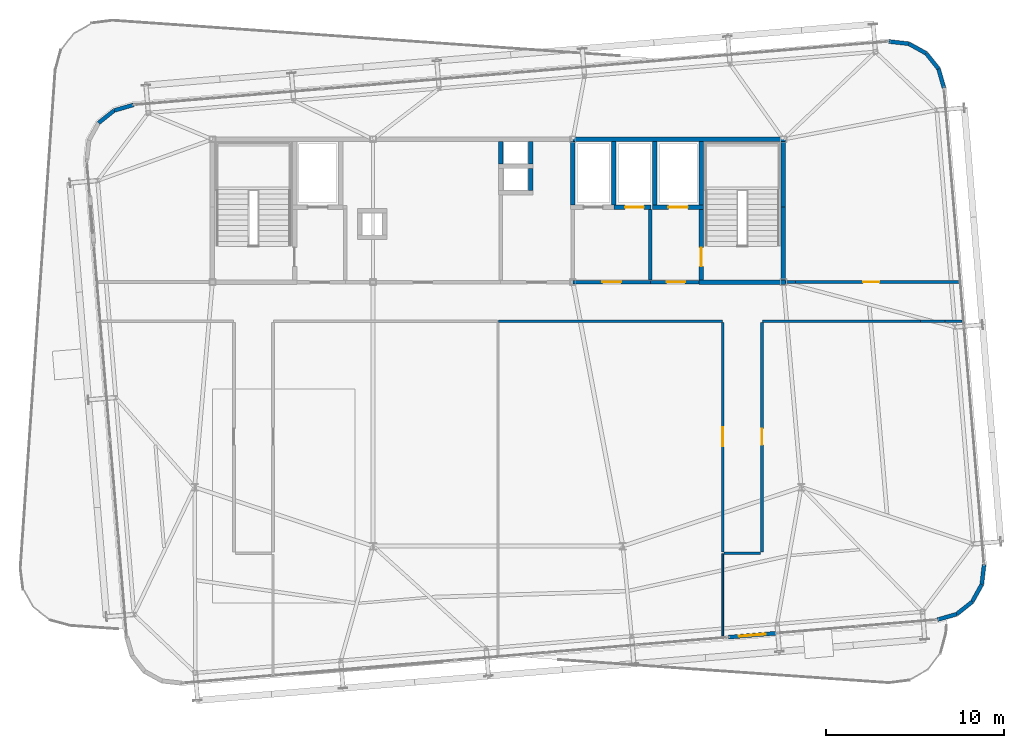
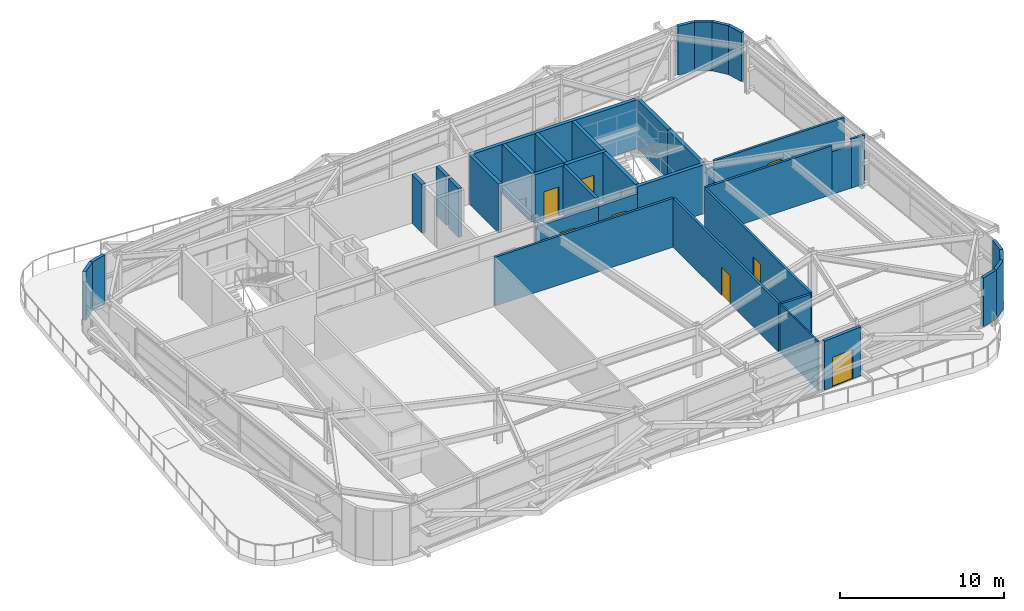
# One storey, part 34 of 38: 38 walls, 9 doors, 9 openings.
"""IFC4 building model written with IfcOpenShell, lengths in metres."""

from ifc_helpers import new_model, si_unit, direction, frame, frame_2d, origin, place, context, subcontext, project, spatial, rectangle, extrude, source, transform, mapped, material, layer, layer_set, type_object, element, fill, save


model = new_model("IFC4")

# Units and contexts
model_context = context("Model", 3, precision=1e-05, world=origin(), true_north=direction((0.0, 1.0)))
body_context = subcontext(model_context, "Body", "Model", "MODEL_VIEW")
ifc_project = project(units=[si_unit("LENGTHUNIT", "METRE"), si_unit("AREAUNIT", "SQUARE_METRE"), si_unit("VOLUMEUNIT", "CUBIC_METRE"), si_unit("PLANEANGLEUNIT", "RADIAN"), si_unit("MASSUNIT", "GRAM", prefix="KILO")], contexts=[model_context])

# Site, building, storey
site_placement = place(None, origin())
site = spatial("IfcSite", under=ifc_project, at=site_placement, CompositionType="ELEMENT")
building_placement = place(site_placement, origin())
building = spatial("IfcBuilding", under=site, at=building_placement, Name="Taldren Reach Tower", CompositionType="ELEMENT")
storey_placement = place(building_placement, frame((0.0, 0.0, 168.699951171875)))
storey = spatial("IfcBuildingStorey", under=building, at=storey_placement, Name="L51", CompositionType="ELEMENT", Elevation=168.699951171875)

# Walls
ifc_material_1 = material(Name="Pale Champagne Anodised Aluminium Cladding", Category="aluminium")
ifc_layer_1 = layer(ifc_material_1, 0.04, Name="Pale Champagne Anodised Aluminium Cladding", Category="aluminium")
ifc_material_2 = material(Name="Mineral Wool Acoustic Insulation", Category="insulation")
ifc_layer_2 = layer(ifc_material_2, 0.06, Name="Mineral Wool Acoustic Insulation", Category="insulation")
ifc_material_3 = material(Name="Steel Gr 350 (C350L0)", Category="steel")
ifc_layer_3 = layer(ifc_material_3, 0.12, Name="Steel Gr 350 (C350L0)", Category="steel")
ifc_layer_set_1 = layer_set([ifc_layer_1, ifc_layer_2, ifc_layer_3], Name="Pale Champagne Aluminium Cladding and Steel Gr 350 Stud Framing")
wall_type_1 = type_object("IfcWallType", Name="EW-CRN-220", PredefinedType="SOLIDWALL", material=ifc_layer_set_1)
shared_shape_1 = source(origin(), body_context, "Body", "SweptSolid", [
    extrude(rectangle(XDim=1.115966796875, YDim=0.219970703125, at=frame_2d((0.55810546875, 0.0))), origin(), (0.0, 0.0, 1.0), 3.630126953125),
])
for number, where, z_axis, x_axis, name in (
    (1, (59.635986328125, 5.0751953125, 0.0), (0.0, 0.0, 1.0), (0.961010464297, 0.276512002475, 0.0), "Rounded-corner pale-metal facade wall L51-SE1"),
    (2, (60.70849609375, 5.3837890625, 0.0), (0.0, 0.0, 1.0), (0.782147847222, 0.623092886403, 0.0), "Rounded-corner pale-metal facade wall L51-SE2"),
    (3, (61.581298828125, 6.0791015625, 0.0), (0.0, 0.0, 1.0), (0.483933071672, 0.875105012065, 0.0), "Rounded-corner pale-metal facade wall L51-SE3"),
    (4, (62.121337890625, 7.0556640625, 0.0), (0.0, 0.0, 1.0), (0.112448259968, 0.993657581277, 0.0), "Rounded-corner pale-metal facade wall L51-SE4"),
    (5, (60.004150390625, 34.870361328125, 0.0), (0.0, 0.0, 1.0), (-0.276512002475, 0.961010464297, 0.0), "Rounded-corner pale-metal facade wall L51-NE1"),
    (6, (59.695556640625, 35.94287109375, 0.0), (0.0, 0.0, 1.0), (-0.623092886403, 0.782147847222, 0.0), "Rounded-corner pale-metal facade wall L51-NE2"),
    (7, (59.000244140625, 36.815673828125, 0.0), (0.0, 0.0, 1.0), (-0.875105012065, 0.483933071672, 0.0), "Rounded-corner pale-metal facade wall L51-NE3"),
    (8, (58.023681640625, 37.355712890625, 0.0), (0.0, 0.0, 1.0), (-0.993657581277, 0.112448259968, 0.0), "Rounded-corner pale-metal facade wall L51-NE4"),
    (9, (14.56396484375, 33.9248046875, 0.0), (0.0, 0.0, 1.0), (-0.961010464297, -0.276512002475, 0.0), "Rounded-corner pale-metal facade wall L51-NW1"),
):
    element("IfcWall", number, at=place(storey_placement, frame(where, z_axis=z_axis, x_axis=x_axis)), inside=storey, type_object=wall_type_1, Name=name, PredefinedType="SOLIDWALL", context=body_context, shape_type="MappedRepresentation", body=[
        mapped(shared_shape_1, transform((0.0, 0.0, 0.0), scale=1.0)),
    ])
shared_shape_2 = source(origin(), body_context, "Body", "SweptSolid", [
    extrude(rectangle(XDim=1.11572265625, YDim=0.219970703125, at=frame_2d((0.557861328125, 0.0))), origin(), (0.0, 0.0, 1.0), 3.630126953125),
])
wall_1_placement = place(storey_placement, frame((13.491455078125, 33.6162109375, 0.0), z_axis=(0.0, 0.0, 1.0), x_axis=(-0.782062884215, -0.623199522732, 0.0)))
element("IfcWall", 10, at=wall_1_placement, inside=storey, type_object=wall_type_1, Name="Rounded-corner pale-metal facade wall L51-NW2", PredefinedType="SOLIDWALL", context=body_context, shape_type="MappedRepresentation", body=[
    mapped(shared_shape_2, transform((0.0, 0.0, 0.0), scale=1.0)),
])

# Wall, opening, door
shared_shape_3 = source(origin(), body_context, "Body", "SweptSolid", [
    extrude(rectangle(XDim=2.7001953125, YDim=0.219970703125, at=frame_2d((1.35009765625, 0.0))), origin(), (0.0, 0.0, 1.0), 3.630126953125),
])
wall_2_placement = place(storey_placement, frame((47.914794921875, 4.0908203125, 0.0), z_axis=(0.0, 0.0, 1.0), x_axis=(0.99648878097, 0.083726396078, 0.0)))
wall_2 = element("IfcWall", 11, at=wall_2_placement, inside=storey, type_object=wall_type_1, Name="Terrace threshold facade wall L51-S1", PredefinedType="SOLIDWALL", context=body_context, shape_type="MappedRepresentation", body=[
    mapped(shared_shape_3, transform((0.0, 0.0, 0.0), scale=1.0)),
])
shared_shape_4 = source(origin(), body_context, "Body", "SweptSolid", [
    extrude(rectangle(XDim=1.5, YDim=2.199951171875, at=frame_2d((0.75, 1.10009765625))), frame((0.0, 0.1201171875, 0.0), z_axis=(0.0, -1.0, 0.0), x_axis=(1.0, 0.0, 0.0)), (0.0, 0.0, 1.0), 0.239990234375),
])
opening_1_placement = place(wall_2_placement, frame((0.60009765625, 0.0, 0.0)))
opening_1 = element("IfcOpeningElement", 12, at=opening_1_placement, cuts=wall_2, Name="Opening ED-150", PredefinedType="OPENING", context=body_context, shape_type="MappedRepresentation", body=[
    mapped(shared_shape_4, transform((0.0, 0.0, 0.0), scale=1.0)),
])
ifc_material_4 = material(Name="Weatherproof Glazed Terrace Door")
door_type_1 = type_object("IfcDoorType", Name="ED-TERR-1500", OperationType="DOUBLE_DOOR_SINGLE_SWING", PredefinedType="DOOR", material=ifc_material_4)
shared_shape_5 = source(origin(), body_context, "Body", "SweptSolid", [
    extrude(rectangle(XDim=1.5, YDim=2.199951171875, at=frame_2d((0.75, 1.10009765625))), frame((0.0, 0.02490234375, 0.0), z_axis=(0.0, -1.0, 0.0), x_axis=(1.0, 0.0, 0.0)), (0.0, 0.0, 1.0), 0.050048828125),
])
door_1_placement = place(opening_1_placement, frame((1.5, 0.0, 0.0), z_axis=(0.0, 0.0, 1.0), x_axis=(-1.0, 0.0, 0.0)))
door_1 = element("IfcDoor", 13, at=door_1_placement, inside=storey, type_object=door_type_1, Name="Setback terrace access door ED-TERR-L51-S1", OperationType="DOUBLE_DOOR_SINGLE_SWING", OverallHeight=2.199951171875, OverallWidth=1.5, PredefinedType="DOOR", context=body_context, shape_type="MappedRepresentation", body=[
    mapped(shared_shape_5, transform((0.0, 0.0, 0.0), scale=1.0)),
])
fill(opening_1, door_1)

# Walls
ifc_material_5 = material(Name="Concrete S65 (65 MPa)", Category="concrete")
ifc_layer_4 = layer(ifc_material_5, 0.25)
ifc_layer_set_2 = layer_set([ifc_layer_4], Name="Concrete S65 (65 MPa)")
wall_type_2 = type_object("IfcWallType", Name="IW-CORE-250", PredefinedType="SHEAR", material=ifc_layer_set_2)
shared_shape_6 = source(origin(), body_context, "Body", "SweptSolid", [
    extrude(rectangle(XDim=11.925048828125, YDim=0.25, at=frame_2d((5.96240234375, 0.0))), origin(), (0.0, 0.0, 1.0), 3.630126953125),
])
wall_3_placement = place(storey_placement, frame((39.199951171875, 32.0, 0.0), z_axis=(0.0, 0.0, 1.0), x_axis=(1.0, 0.0, 0.0)))
element("IfcWall", 14, at=wall_3_placement, inside=storey, type_object=wall_type_2, Name="Rear Core Shear Wall W-CORE-L51-NORTH3", PredefinedType="SHEAR", context=body_context, shape_type="MappedRepresentation", body=[
    mapped(shared_shape_6, transform((0.0, 0.0, 0.0), scale=1.0)),
])
shared_shape_7 = source(origin(), body_context, "Body", "SweptSolid", [
    extrude(rectangle(XDim=4.074951171875, YDim=0.25, at=frame_2d((2.03759765625, 0.0))), origin(), (0.0, 0.0, 1.0), 3.630126953125),
])
wall_4_placement = place(storey_placement, frame((51.0, 24.125, 0.0), z_axis=(0.0, 0.0, 1.0), x_axis=(0.0, 1.0, 0.0)))
element("IfcWall", 15, at=wall_4_placement, inside=storey, type_object=wall_type_2, Name="Rear Core Shear Wall W-CORE-L51-EAST1", PredefinedType="SHEAR", context=body_context, shape_type="MappedRepresentation", body=[
    mapped(shared_shape_7, transform((0.0, 0.0, 0.0), scale=1.0)),
])
shared_shape_8 = source(origin(), body_context, "Body", "SweptSolid", [
    extrude(rectangle(XDim=3.675048828125, YDim=0.25, at=frame_2d((1.83740234375, 0.0))), origin(), (0.0, 0.0, 1.0), 3.630126953125),
])
wall_5_placement = place(storey_placement, frame((51.0, 28.199951171875, 0.0), z_axis=(0.0, 0.0, 1.0), x_axis=(0.0, 1.0, 0.0)))
element("IfcWall", 16, at=wall_5_placement, inside=storey, type_object=wall_type_2, Name="Rear Core Shear Wall W-CORE-L51-EAST2", PredefinedType="SHEAR", context=body_context, shape_type="MappedRepresentation", body=[
    mapped(shared_shape_8, transform((0.0, 0.0, 0.0), scale=1.0)),
])
shared_shape_9 = source(origin(), body_context, "Body", "SweptSolid", [
    extrude(rectangle(XDim=3.550048828125, YDim=0.25, at=frame_2d((1.77490234375, 0.0))), origin(), (0.0, 0.0, 1.0), 3.630126953125),
])
for number, where, z_axis, x_axis, name in (
    (17, (46.39990234375, 31.875, 0.0), (0.0, 0.0, 1.0), (0.0, -1.0, 0.0), "Rear Core Shear Wall W-INT-L51-008"),
    (18, (43.800048828125, 31.875, 0.0), (0.0, 0.0, 1.0), (0.0, -1.0, 0.0), "Rear Core Shear Wall W-INT-L51-012"),
    (19, (41.5, 28.324951171875, 0.0), (0.0, 0.0, 1.0), (0.0, 1.0, 0.0), "Rear Core Shear Wall W-INT-L51-025"),
    (20, (39.199951171875, 31.875, 0.0), (0.0, 0.0, 1.0), (0.0, -1.0, 0.0), "Rear Core Shear Wall W-INT-L51-027"),
):
    element("IfcWall", number, at=place(storey_placement, frame(where, z_axis=z_axis, x_axis=x_axis)), inside=storey, type_object=wall_type_2, Name=name, PredefinedType="SHEAR", context=body_context, shape_type="MappedRepresentation", body=[
        mapped(shared_shape_9, transform((0.0, 0.0, 0.0), scale=1.0)),
    ])

# Wall, opening, door
shared_shape_10 = source(origin(), body_context, "Body", "SweptSolid", [
    extrude(rectangle(XDim=3.949951171875, YDim=0.25, at=frame_2d((1.97509765625, 0.0))), origin(), (0.0, 0.0, 1.0), 3.630126953125),
])
wall_6_placement = place(storey_placement, frame((46.39990234375, 28.074951171875, 0.0), z_axis=(0.0, 0.0, 1.0), x_axis=(0.0, -1.0, 0.0)))
wall_6 = element("IfcWall", 21, at=wall_6_placement, inside=storey, type_object=wall_type_2, Name="Rear Core Shear Wall W-INT-L51-009", PredefinedType="SHEAR", context=body_context, shape_type="MappedRepresentation", body=[
    mapped(shared_shape_10, transform((0.0, 0.0, 0.0), scale=1.0)),
])
shared_shape_11 = source(origin(), body_context, "Body", "SweptSolid", [
    extrude(rectangle(XDim=1.050048828125, YDim=2.10009765625, at=frame_2d((0.52490234375, 1.050048828125))), frame((0.0, 0.135009765625, 0.0), z_axis=(0.0, -1.0, 0.0), x_axis=(1.0, 0.0, 0.0)), (0.0, 0.0, 1.0), 0.27001953125),
])
opening_2_placement = place(wall_6_placement, frame((2.14990234375, 0.0, 0.0)))
opening_2 = element("IfcOpeningElement", 22, at=opening_2_placement, cuts=wall_6, Name="Opening DF-105", PredefinedType="OPENING", context=body_context, shape_type="MappedRepresentation", body=[
    mapped(shared_shape_11, transform((0.0, 0.0, 0.0), scale=1.0)),
])
ifc_material_6 = material(Name="Fire-Rated Care and Stair Exit Door")
door_type_2 = type_object("IfcDoorType", Name="ID-FIRE-105", OperationType="NOTDEFINED", PredefinedType="DOOR", material=ifc_material_6)
shared_shape_12 = source(origin(), body_context, "Body", "SweptSolid", [
    extrude(rectangle(XDim=1.050048828125, YDim=2.10009765625, at=frame_2d((0.52490234375, 1.050048828125))), frame((0.0, 0.02490234375, 0.0), z_axis=(0.0, -1.0, 0.0), x_axis=(1.0, 0.0, 0.0)), (0.0, 0.0, 1.0), 0.050048828125),
])
door_2_placement = place(opening_2_placement, origin())
door_2 = element("IfcDoor", 23, at=door_2_placement, inside=storey, type_object=door_type_2, Name="Fire Exit Stair Door DR-L51-003", OperationType="SINGLE_SWING_RIGHT", OverallHeight=2.10009765625, OverallWidth=1.050048828125, PredefinedType="DOOR", context=body_context, shape_type="MappedRepresentation", body=[
    mapped(shared_shape_12, transform((0.0, 0.0, 0.0), scale=1.0)),
])
fill(opening_2, door_2)

# Wall
shared_shape_13 = source(origin(), body_context, "Body", "SweptSolid", [
    extrude(rectangle(XDim=4.85009765625, YDim=0.25, at=frame_2d((2.425048828125, 0.0))), origin(), (0.0, 0.0, 1.0), 3.630126953125),
])
wall_7_placement = place(storey_placement, frame((46.27490234375, 24.0, 0.0), z_axis=(0.0, 0.0, 1.0), x_axis=(1.0, 0.0, 0.0)))
element("IfcWall", 24, at=wall_7_placement, inside=storey, type_object=wall_type_2, Name="Rear Core Shear Wall W-INT-L51-010", PredefinedType="SHEAR", context=body_context, shape_type="MappedRepresentation", body=[
    mapped(shared_shape_13, transform((0.0, 0.0, 0.0), scale=1.0)),
])

# Wall, opening, door
shared_shape_14 = source(origin(), body_context, "Body", "SweptSolid", [
    extrude(rectangle(XDim=2.849853515625, YDim=0.25, at=frame_2d((1.4248046875, 0.0))), origin(), (0.0, 0.0, 1.0), 3.630126953125),
])
wall_8_placement = place(storey_placement, frame((43.675048828125, 28.199951171875, 0.0), z_axis=(0.0, 0.0, 1.0), x_axis=(1.0, 0.0, 0.0)))
wall_8 = element("IfcWall", 25, at=wall_8_placement, inside=storey, type_object=wall_type_2, Name="Rear Core Shear Wall W-INT-L51-011", PredefinedType="SHEAR", context=body_context, shape_type="MappedRepresentation", body=[
    mapped(shared_shape_14, transform((0.0, 0.0, 0.0), scale=1.0)),
])
shared_shape_15 = source(origin(), body_context, "Body", "SweptSolid", [
    extrude(rectangle(XDim=1.10009765625, YDim=2.14990234375, at=frame_2d((0.550048828125, 1.074951171875))), frame((0.0, 0.135009765625, 0.0), z_axis=(0.0, -1.0, 0.0), x_axis=(1.0, 0.0, 0.0)), (0.0, 0.0, 1.0), 0.27001953125),
])
opening_3_placement = place(wall_8_placement, frame((0.875, 0.0, 0.0)))
opening_3 = element("IfcOpeningElement", 26, at=opening_3_placement, cuts=wall_8, Name="Opening LD-FL2", PredefinedType="OPENING", context=body_context, shape_type="MappedRepresentation", body=[
    mapped(shared_shape_15, transform((0.0, 0.0, 0.0), scale=1.0)),
])
ifc_material_7 = material(Name="Stainless Steel Gr 316 Emergency Lift Landing Door", Category="steel")
door_type_3 = type_object("IfcDoorType", Name="LD-EMG-110", OperationType="SLIDING_TO_LEFT", PredefinedType="DOOR", material=ifc_material_7)
shared_shape_16 = source(origin(), body_context, "Body", "SweptSolid", [
    extrude(rectangle(XDim=1.10009765625, YDim=2.14990234375, at=frame_2d((0.550048828125, 1.074951171875))), frame((0.0, 0.02490234375, 0.0), z_axis=(0.0, -1.0, 0.0), x_axis=(1.0, 0.0, 0.0)), (0.0, 0.0, 1.0), 0.050048828125),
])
door_3_placement = place(opening_3_placement, origin())
door_3 = element("IfcDoor", 27, at=door_3_placement, inside=storey, type_object=door_type_3, Name="Lift Landing Door LD-FL2-L51", OperationType="SLIDING_TO_LEFT", OverallHeight=2.14990234375, OverallWidth=1.10009765625, PredefinedType="DOOR", context=body_context, shape_type="MappedRepresentation", body=[
    mapped(shared_shape_16, transform((0.0, 0.0, 0.0), scale=1.0)),
])
fill(opening_3, door_3)

# Wall
ifc_material_8 = material(Name="Concrete S50 (50 MPa)", Category="concrete")
ifc_layer_5 = layer(ifc_material_8, 0.199951171875)
ifc_layer_set_3 = layer_set([ifc_layer_5], Name="Concrete S50 (50 MPa)")
wall_type_3 = type_object("IfcWallType", Name="IW-CORE-200", PredefinedType="SOLIDWALL", material=ifc_layer_set_3)
shared_shape_17 = source(origin(), body_context, "Body", "SweptSolid", [
    extrude(rectangle(XDim=3.974853515625, YDim=0.199951171875, at=frame_2d((1.9873046875, 0.0))), origin(), (0.0, 0.0, 1.0), 3.630126953125),
])
wall_9_placement = place(storey_placement, frame((43.550048828125, 28.074951171875, 0.0), z_axis=(0.0, 0.0, 1.0), x_axis=(0.0, -1.0, 0.0)))
element("IfcWall", 28, at=wall_9_placement, inside=storey, type_object=wall_type_3, Name="Rear Core Shear Wall W-INT-L51-013", PredefinedType="SOLIDWALL", context=body_context, shape_type="MappedRepresentation", body=[
    mapped(shared_shape_17, transform((0.0, 0.0, 0.0), scale=1.0)),
])

# Wall, opening, door
shared_shape_18 = source(origin(), body_context, "Body", "SweptSolid", [
    extrude(rectangle(XDim=2.724853515625, YDim=0.199951171875, at=frame_2d((1.3623046875, 0.0))), origin(), (0.0, 0.0, 1.0), 3.09716796875),
])
wall_10_placement = place(storey_placement, frame((43.550048828125, 24.0, 0.0), z_axis=(0.0, 0.0, 1.0), x_axis=(1.0, 0.0, 0.0)))
wall_10 = element("IfcWall", 29, at=wall_10_placement, inside=storey, type_object=wall_type_3, Name="Rear Core Shear Wall W-INT-L51-014", PredefinedType="SOLIDWALL", context=body_context, shape_type="MappedRepresentation", body=[
    mapped(shared_shape_18, transform((0.0, 0.0, 0.0), scale=1.0)),
])
shared_shape_19 = source(origin(), body_context, "Body", "SweptSolid", [
    extrude(rectangle(XDim=1.050048828125, YDim=2.10009765625, at=frame_2d((0.52490234375, 1.050048828125))), frame((0.0, 0.10986328125, 0.0), z_axis=(0.0, -1.0, 0.0), x_axis=(1.0, 0.0, 0.0)), (0.0, 0.0, 1.0), 0.219970703125),
])
opening_4_placement = place(wall_10_placement, frame((0.89990234375, 0.0, 0.0)))
opening_4 = element("IfcOpeningElement", 30, at=opening_4_placement, cuts=wall_10, Name="Opening DF-105", PredefinedType="OPENING", context=body_context, shape_type="MappedRepresentation", body=[
    mapped(shared_shape_19, transform((0.0, 0.0, 0.0), scale=1.0)),
])
door_4_placement = place(opening_4_placement, origin())
door_4 = element("IfcDoor", 31, at=door_4_placement, inside=storey, type_object=door_type_2, Name="Interior Door DR-L51-004", OperationType="SINGLE_SWING_LEFT", OverallHeight=2.10009765625, OverallWidth=1.050048828125, PredefinedType="DOOR", context=body_context, shape_type="MappedRepresentation", body=[
    mapped(shared_shape_12, transform((0.0, 0.0, 0.0), scale=1.0)),
])
fill(opening_4, door_4)

# Walls
shared_shape_20 = source(origin(), body_context, "Body", "SweptSolid", [
    extrude(rectangle(XDim=1.25, YDim=0.25, at=frame_2d((0.625, 0.0))), origin(), (0.0, 0.0, 1.0), 3.630126953125),
])
for number, where, z_axis, x_axis, name in (
    (32, (35.14990234375, 31.875, 0.0), (0.0, 0.0, 1.0), (0.0, -1.0, 0.0), "Rear Core Shear Wall W-INT-L51-016"),
    (33, (36.85009765625, 30.625, 0.0), (0.0, 0.0, 1.0), (0.0, 1.0, 0.0), "Rear Core Shear Wall W-INT-L51-017"),
    (34, (36.85009765625, 29.125, 0.0), (0.0, 0.0, 1.0), (0.0, 1.0, 0.0), "Rear Core Shear Wall W-INT-L51-020"),
):
    element("IfcWall", number, at=place(storey_placement, frame(where, z_axis=z_axis, x_axis=x_axis)), inside=storey, type_object=wall_type_2, Name=name, PredefinedType="SHEAR", context=body_context, shape_type="MappedRepresentation", body=[
        mapped(shared_shape_20, transform((0.0, 0.0, 0.0), scale=1.0)),
    ])

# Wall, opening, door
shared_shape_21 = source(origin(), body_context, "Body", "SweptSolid", [
    extrude(rectangle(XDim=2.070068359375, YDim=0.25, at=frame_2d((1.03515625, 0.0))), origin(), (0.0, 0.0, 1.0), 3.630126953125),
])
wall_11_placement = place(storey_placement, frame((41.5, 28.199951171875, 0.0), z_axis=(0.0, 0.0, 1.0), x_axis=(1.0, 0.0, 0.0)))
wall_11 = element("IfcWall", 35, at=wall_11_placement, inside=storey, type_object=wall_type_2, Name="Rear Core Shear Wall W-INT-L51-028", PredefinedType="SHEAR", context=body_context, shape_type="MappedRepresentation", body=[
    mapped(shared_shape_21, transform((0.0, 0.0, 0.0), scale=1.0)),
])
shared_shape_22 = source(origin(), body_context, "Body", "SweptSolid", [
    extrude(rectangle(XDim=1.050048828125, YDim=2.14990234375, at=frame_2d((0.52490234375, 1.074951171875))), frame((0.0, 0.135009765625, 0.0), z_axis=(0.0, -1.0, 0.0), x_axis=(1.0, 0.0, 0.0)), (0.0, 0.0, 1.0), 0.27001953125),
])
opening_5_placement = place(wall_11_placement, frame((0.625, 0.0, 0.0)))
opening_5 = element("IfcOpeningElement", 36, at=opening_5_placement, cuts=wall_11, Name="Opening LD-PH2", PredefinedType="OPENING", context=body_context, shape_type="MappedRepresentation", body=[
    mapped(shared_shape_22, transform((0.0, 0.0, 0.0), scale=1.0)),
])
ifc_material_9 = material(Name="Stainless Steel Gr 316 Passenger Lift Landing Door", Category="steel")
door_type_4 = type_object("IfcDoorType", Name="LD-PAS-105", OperationType="SLIDING_TO_LEFT", PredefinedType="DOOR", material=ifc_material_9)
shared_shape_23 = source(origin(), body_context, "Body", "SweptSolid", [
    extrude(rectangle(XDim=1.050048828125, YDim=2.14990234375, at=frame_2d((0.52490234375, 1.074951171875))), frame((0.0, 0.02490234375, 0.0), z_axis=(0.0, -1.0, 0.0), x_axis=(1.0, 0.0, 0.0)), (0.0, 0.0, 1.0), 0.050048828125),
])
door_5_placement = place(opening_5_placement, origin())
door_5 = element("IfcDoor", 37, at=door_5_placement, inside=storey, type_object=door_type_4, Name="Lift Landing Door LD-PH2-L51", OperationType="SLIDING_TO_LEFT", OverallHeight=2.14990234375, OverallWidth=1.050048828125, PredefinedType="DOOR", context=body_context, shape_type="MappedRepresentation", body=[
    mapped(shared_shape_23, transform((0.0, 0.0, 0.0), scale=1.0)),
])
fill(opening_5, door_5)

shared_shape_24 = source(origin(), body_context, "Body", "SweptSolid", [
    extrude(rectangle(XDim=4.35009765625, YDim=0.199951171875, at=frame_2d((2.175048828125, 0.0))), origin(), (0.0, 0.0, 1.0), 3.09716796875),
])
wall_12_placement = place(storey_placement, frame((43.550048828125, 24.0, 0.0), z_axis=(0.0, 0.0, 1.0), x_axis=(-1.0, 0.0, 0.0)))
wall_12 = element("IfcWall", 38, at=wall_12_placement, inside=storey, type_object=wall_type_3, Name="Rear Core Shear Wall W-INT-L51-030", PredefinedType="SOLIDWALL", context=body_context, shape_type="MappedRepresentation", body=[
    mapped(shared_shape_24, transform((0.0, 0.0, 0.0), scale=1.0)),
])
opening_6_placement = place(wall_12_placement, frame((1.64990234375, 0.0, 0.0)))
opening_6 = element("IfcOpeningElement", 39, at=opening_6_placement, cuts=wall_12, Name="Opening DF-105", PredefinedType="OPENING", context=body_context, shape_type="MappedRepresentation", body=[
    mapped(shared_shape_19, transform((0.0, 0.0, 0.0), scale=1.0)),
])
door_6_placement = place(opening_6_placement, frame((1.050048828125, 0.0, 0.0), z_axis=(0.0, 0.0, 1.0), x_axis=(-1.0, 0.0, 0.0)))
door_6 = element("IfcDoor", 40, at=door_6_placement, inside=storey, type_object=door_type_2, Name="Interior Door DR-L51-005", OperationType="SINGLE_SWING_LEFT", OverallHeight=2.10009765625, OverallWidth=1.050048828125, PredefinedType="DOOR", context=body_context, shape_type="MappedRepresentation", body=[
    mapped(shared_shape_12, transform((0.0, 0.0, 0.0), scale=1.0)),
])
fill(opening_6, door_6)

ifc_material_10 = material(Name="Fire-Rated Acoustic Plasterboard Stud Wall", Category="gypsum")
ifc_layer_6 = layer(ifc_material_10, 0.159912109375)
ifc_layer_set_4 = layer_set([ifc_layer_6], Name="Fire-Rated Acoustic Plasterboard Stud Wall")
wall_type_4 = type_object("IfcWallType", Name="IW-FIRE-160", PredefinedType="PARTITIONING", material=ifc_layer_set_4)
shared_shape_25 = source(origin(), body_context, "Body", "SweptSolid", [
    extrude(rectangle(XDim=12.840087890625, YDim=0.159912109375, at=frame_2d((6.419921875, 0.0))), origin(), (0.0, 0.0, 1.0), 3.630126953125),
])
wall_13_placement = place(storey_placement, frame((47.60009765625, 8.8798828125, 0.0), z_axis=(0.0, 0.0, 1.0), x_axis=(0.0, 1.0, 0.0)))
wall_13 = element("IfcWall", 41, at=wall_13_placement, inside=storey, type_object=wall_type_4, Name="Interior Partition Wall W-INT-L51-039", PredefinedType="PARTITIONING", context=body_context, shape_type="MappedRepresentation", body=[
    mapped(shared_shape_25, transform((0.0, 0.0, 0.0), scale=1.0)),
])
shared_shape_26 = source(origin(), body_context, "Body", "SweptSolid", [
    extrude(rectangle(XDim=1.050048828125, YDim=2.10009765625, at=frame_2d((0.52490234375, 1.050048828125))), frame((0.0, 0.08984375, 0.0), z_axis=(0.0, -1.0, 0.0), x_axis=(1.0, 0.0, 0.0)), (0.0, 0.0, 1.0), 0.179931640625),
])
opening_7_placement = place(wall_13_placement, frame((5.9248046875, 0.0, 0.0)))
opening_7 = element("IfcOpeningElement", 42, at=opening_7_placement, cuts=wall_13, Name="Opening DF-105", PredefinedType="OPENING", context=body_context, shape_type="MappedRepresentation", body=[
    mapped(shared_shape_26, transform((0.0, 0.0, 0.0), scale=1.0)),
])
door_7_placement = place(opening_7_placement, origin())
door_7 = element("IfcDoor", 43, at=door_7_placement, inside=storey, type_object=door_type_2, Name="Interior Door DR-L51-010", OperationType="SINGLE_SWING_LEFT", OverallHeight=2.10009765625, OverallWidth=1.050048828125, PredefinedType="DOOR", context=body_context, shape_type="MappedRepresentation", body=[
    mapped(shared_shape_12, transform((0.0, 0.0, 0.0), scale=1.0)),
])
fill(opening_7, door_7)

wall_14_placement = place(storey_placement, frame((49.800048828125, 21.719970703125, 0.0), z_axis=(0.0, 0.0, 1.0), x_axis=(0.0, -1.0, 0.0)))
wall_14 = element("IfcWall", 44, at=wall_14_placement, inside=storey, type_object=wall_type_4, Name="Interior Partition Wall W-INT-L51-041", PredefinedType="PARTITIONING", context=body_context, shape_type="MappedRepresentation", body=[
    mapped(shared_shape_25, transform((0.0, 0.0, 0.0), scale=1.0)),
])
shared_shape_27 = source(origin(), body_context, "Body", "SweptSolid", [
    extrude(rectangle(XDim=0.919921875, YDim=2.10009765625, at=frame_2d((0.4599609375, 1.050048828125))), frame((0.0, 0.08984375, 0.0), z_axis=(0.0, -1.0, 0.0), x_axis=(1.0, 0.0, 0.0)), (0.0, 0.0, 1.0), 0.179931640625),
])
opening_8_placement = place(wall_14_placement, frame((5.93017578125, 0.0, 0.0)))
opening_8 = element("IfcOpeningElement", 45, at=opening_8_placement, cuts=wall_14, Name="Opening DI-092", PredefinedType="OPENING", context=body_context, shape_type="MappedRepresentation", body=[
    mapped(shared_shape_27, transform((0.0, 0.0, 0.0), scale=1.0)),
])
ifc_material_11 = material(Name="Solid-Core Timber Suite Door", Category="wood")
door_type_5 = type_object("IfcDoorType", Name="ID-INT-092", OperationType="NOTDEFINED", PredefinedType="DOOR", material=ifc_material_11)
shared_shape_28 = source(origin(), body_context, "Body", "SweptSolid", [
    extrude(rectangle(XDim=0.919921875, YDim=2.10009765625, at=frame_2d((0.4599609375, 1.050048828125))), frame((0.0, 0.02490234375, 0.0), z_axis=(0.0, -1.0, 0.0), x_axis=(1.0, 0.0, 0.0)), (0.0, 0.0, 1.0), 0.050048828125),
])
door_8_placement = place(opening_8_placement, origin())
door_8 = element("IfcDoor", 46, at=door_8_placement, inside=storey, type_object=door_type_5, Name="Interior Door DR-L51-011", OperationType="SINGLE_SWING_RIGHT", OverallHeight=2.10009765625, OverallWidth=0.919921875, PredefinedType="DOOR", context=body_context, shape_type="MappedRepresentation", body=[
    mapped(shared_shape_28, transform((0.0, 0.0, 0.0), scale=1.0)),
])
fill(opening_8, door_8)

# Walls
shared_shape_29 = source(origin(), body_context, "Body", "SweptSolid", [
    extrude(rectangle(XDim=2.0400390625, YDim=0.159912109375, at=frame_2d((1.02001953125, 0.0))), origin(), (0.0, 0.0, 1.0), 3.630126953125),
])
wall_15_placement = place(storey_placement, frame((49.719970703125, 8.800048828125, 0.0), z_axis=(0.0, 0.0, 1.0), x_axis=(-1.0, 0.0, 0.0)))
element("IfcWall", 47, at=wall_15_placement, inside=storey, type_object=wall_type_4, Name="Interior Partition Wall W-INT-L51-043", PredefinedType="PARTITIONING", context=body_context, shape_type="MappedRepresentation", body=[
    mapped(shared_shape_29, transform((0.0, 0.0, 0.0), scale=1.0)),
])
shared_shape_30 = source(origin(), body_context, "Body", "SweptSolid", [
    extrude(rectangle(XDim=12.559326171875, YDim=0.159912109375, at=frame_2d((6.27978515625, 0.0))), origin(), (0.0, 0.0, 1.0), 3.630126953125),
])
wall_16_placement = place(storey_placement, frame((47.57958984375, 21.800048828125, 0.0), z_axis=(0.0, 0.0, 1.0), x_axis=(-1.0, 0.0, 0.0)))
element("IfcWall", 48, at=wall_16_placement, inside=storey, type_object=wall_type_4, Name="Interior Partition Wall W-INT-L51-040", PredefinedType="PARTITIONING", context=body_context, shape_type="MappedRepresentation", body=[
    mapped(shared_shape_30, transform((0.0, 0.0, 0.0), scale=1.0)),
])
shared_shape_31 = source(origin(), body_context, "Body", "SweptSolid", [
    extrude(rectangle(XDim=0.9453125, YDim=0.159912109375, at=frame_2d((0.47265625, 0.0))), origin(), (0.0, 0.0, 1.0), 3.630126953125),
])
wall_17_placement = place(storey_placement, frame((61.004638671875, 21.800048828125, 0.0), z_axis=(0.0, 0.0, 1.0), x_axis=(-1.0, 0.0, 0.0)))
element("IfcWall", 49, at=wall_17_placement, inside=storey, type_object=wall_type_4, Name="Interior Partition Wall W-INT-L51-042", PredefinedType="PARTITIONING", context=body_context, shape_type="MappedRepresentation", body=[
    mapped(shared_shape_31, transform((0.0, 0.0, 0.0), scale=1.0)),
])
shared_shape_32 = source(origin(), body_context, "Body", "SweptSolid", [
    extrude(rectangle(XDim=1.361328125, YDim=0.159912109375, at=frame_2d((0.6806640625, 0.0))), origin(), (0.0, 0.0, 1.0), 3.170166015625),
])
wall_18_placement = place(storey_placement, frame((60.059326171875, 21.800048828125, 0.0), z_axis=(0.0, 0.0, 1.0), x_axis=(-1.0, 0.0, 0.0)))
element("IfcWall", 50, at=wall_18_placement, inside=storey, type_object=wall_type_4, Name="Interior Partition Wall W-INT-L51-042 part 2", PredefinedType="PARTITIONING", context=body_context, shape_type="MappedRepresentation", body=[
    mapped(shared_shape_32, transform((0.0, 0.0, 0.0), scale=1.0)),
])
shared_shape_33 = source(origin(), body_context, "Body", "SweptSolid", [
    extrude(rectangle(XDim=8.877685546875, YDim=0.159912109375, at=frame_2d((4.43896484375, 0.0))), origin(), (0.0, 0.0, 1.0), 3.630126953125),
])
wall_19_placement = place(storey_placement, frame((58.697998046875, 21.800048828125, 0.0), z_axis=(0.0, 0.0, 1.0), x_axis=(-1.0, 0.0, 0.0)))
element("IfcWall", 51, at=wall_19_placement, inside=storey, type_object=wall_type_4, Name="Interior Partition Wall W-INT-L51-042 part 3", PredefinedType="PARTITIONING", context=body_context, shape_type="MappedRepresentation", body=[
    mapped(shared_shape_33, transform((0.0, 0.0, 0.0), scale=1.0)),
])
shared_shape_34 = source(origin(), body_context, "Body", "SweptSolid", [
    extrude(rectangle(XDim=0.5556640625, YDim=0.159912109375, at=frame_2d((0.27783203125, 0.0))), origin(), (0.0, 0.0, 1.0), 3.170166015625),
])
wall_20_placement = place(storey_placement, frame((51.125, 24.0, 0.0), z_axis=(0.0, 0.0, 1.0), x_axis=(1.0, 0.0, 0.0)))
element("IfcWall", 52, at=wall_20_placement, inside=storey, type_object=wall_type_4, Name="Interior Partition Wall W-INT-L51-044", PredefinedType="PARTITIONING", context=body_context, shape_type="MappedRepresentation", body=[
    mapped(shared_shape_34, transform((0.0, 0.0, 0.0), scale=1.0)),
])

# Wall, opening, door
shared_shape_35 = source(origin(), body_context, "Body", "SweptSolid", [
    extrude(rectangle(XDim=9.15283203125, YDim=0.159912109375, at=frame_2d((4.576416015625, 0.0))), origin(), (0.0, 0.0, 1.0), 3.630126953125),
])
wall_21_placement = place(storey_placement, frame((51.6806640625, 24.0, 0.0), z_axis=(0.0, 0.0, 1.0), x_axis=(1.0, 0.0, 0.0)))
wall_21 = element("IfcWall", 53, at=wall_21_placement, inside=storey, type_object=wall_type_4, Name="Interior Partition Wall W-INT-L51-044 part 2", PredefinedType="PARTITIONING", context=body_context, shape_type="MappedRepresentation", body=[
    mapped(shared_shape_35, transform((0.0, 0.0, 0.0), scale=1.0)),
])
opening_9_placement = place(wall_21_placement, frame((3.7861328125, 0.0, 0.0)))
opening_9 = element("IfcOpeningElement", 54, at=opening_9_placement, cuts=wall_21, Name="Opening DI-092", PredefinedType="OPENING", context=body_context, shape_type="MappedRepresentation", body=[
    mapped(shared_shape_27, transform((0.0, 0.0, 0.0), scale=1.0)),
])
door_9_placement = place(opening_9_placement, origin())
door_9 = element("IfcDoor", 55, at=door_9_placement, inside=storey, type_object=door_type_5, Name="Interior Door DR-L51-012", OperationType="SINGLE_SWING_LEFT", OverallHeight=2.10009765625, OverallWidth=0.919921875, PredefinedType="DOOR", context=body_context, shape_type="MappedRepresentation", body=[
    mapped(shared_shape_28, transform((0.0, 0.0, 0.0), scale=1.0)),
])
fill(opening_9, door_9)

# Wall
ifc_material_12 = material(Name="Acoustic Operable Folding Partition", Category="metal")
ifc_layer_7 = layer(ifc_material_12, 0.10009765625)
ifc_layer_set_5 = layer_set([ifc_layer_7], Name="Acoustic Operable Folding Partition")
wall_type_5 = type_object("IfcWallType", Name="IW-MOV-100", PredefinedType="MOVABLE", material=ifc_layer_set_5)
shared_shape_36 = source(origin(), body_context, "Body", "SweptSolid", [
    extrude(rectangle(XDim=4.629638671875, YDim=0.10009765625, at=frame_2d((2.31494140625, 0.0))), origin(), (0.0, 0.0, 1.0), 3.630126953125),
])
wall_22_placement = place(storey_placement, frame((47.60009765625, 8.77978515625, 0.0), z_axis=(0.0, 0.0, 1.0), x_axis=(0.0, -1.0, 0.0)))
element("IfcWall", 56, at=wall_22_placement, inside=storey, type_object=wall_type_5, Name="Interior Partition Wall W-INT-L51-048", PredefinedType="MOVABLE", context=body_context, shape_type="MappedRepresentation", body=[
    mapped(shared_shape_36, transform((0.0, 0.0, 0.0), scale=1.0)),
])

save(model, "model.ifc")
